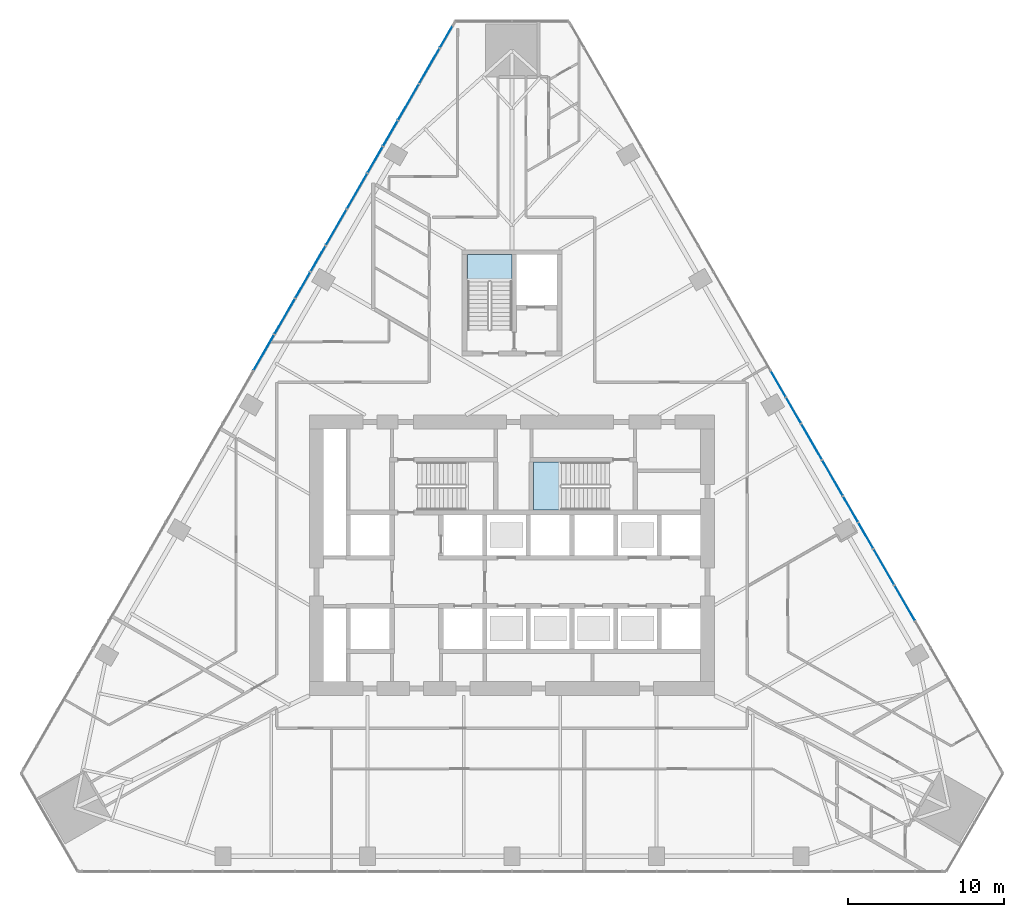
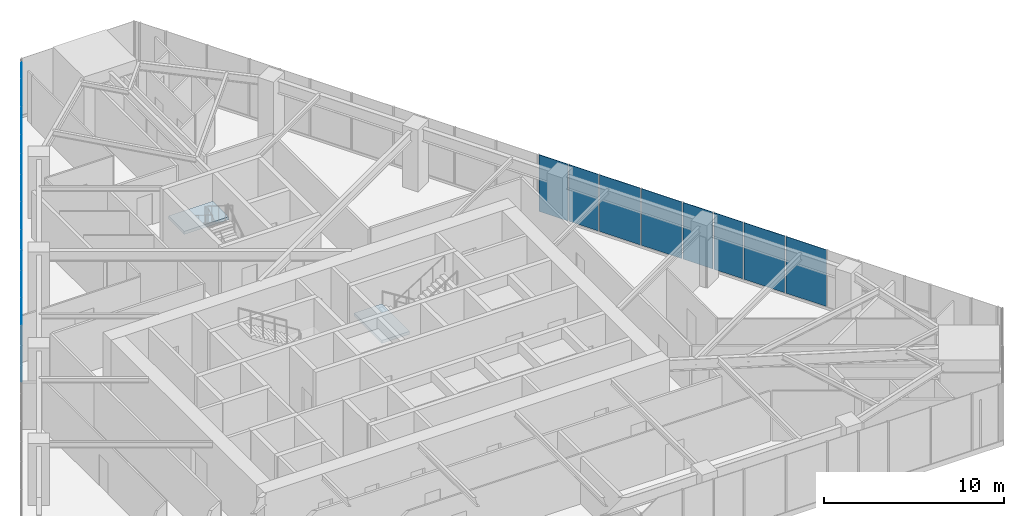
# One storey, part 14 of 22: 19 plates, 2 slabs, 4 elements without a shape of their own.
"""IFC4 building model written with IfcOpenShell, lengths in metres."""

from ifc_helpers import new_model, si_unit, direction, frame, origin, place, context, subcontext, project, spatial, polyline, outline, extrude, material, layer, layer_set, type_object, element, aggregate, save


model = new_model("IFC4")

# Units and contexts
model_context = context("Model", 3, precision=1e-05, world=origin(), true_north=direction((0.0, 1.0)))
body_context = subcontext(model_context, "Body", "Model", "MODEL_VIEW")
ifc_project = project(units=[si_unit("LENGTHUNIT", "METRE"), si_unit("AREAUNIT", "SQUARE_METRE"), si_unit("VOLUMEUNIT", "CUBIC_METRE"), si_unit("PLANEANGLEUNIT", "RADIAN"), si_unit("MASSUNIT", "GRAM", prefix="KILO")], contexts=[model_context])

# Site, building, storey
site_placement = place(None, origin())
site = spatial("IfcSite", under=ifc_project, at=site_placement, CompositionType="ELEMENT")
building_placement = place(site_placement, origin())
building = spatial("IfcBuilding", under=site, at=building_placement, Name="Firuza Gate Tower and Library", CompositionType="ELEMENT")
storey_placement = place(building_placement, frame((0.0, 0.0, 128.199951171875)))
storey = spatial("IfcBuildingStorey", under=building, at=storey_placement, Name="L29", CompositionType="ELEMENT", Elevation=128.199951171875)

# Curtain wall, plates
ifc_material_1 = material(Name="Aluminium 6063-T6", Category="aluminium")
ifc_layer_1 = layer(ifc_material_1, 0.14990234375)
ifc_layer_set_1 = layer_set([ifc_layer_1], Name="Unitised curtain wall, offices")
curtain_wall_type = type_object("IfcCurtainWallType", Name="Unitised curtain wall, offices", PredefinedType="NOTDEFINED", material=ifc_layer_set_1)
placement_1 = place(storey_placement, origin())
curtain_wall_1 = element("IfcCurtainWall", 1, at=placement_1, inside=storey, type_object=curtain_wall_type, Name="CW1 L29 E face", PredefinedType="NOTDEFINED")
ifc_material_2 = material(Name="Fritted glass", Category="glass")
ifc_layer_2 = layer(ifc_material_2, 0.030029296875)
ifc_layer_set_2 = layer_set([ifc_layer_2], Name="Fritted glass unit, offices")
plate_type_1 = type_object("IfcPlateType", Name="Fritted glass unit, offices", PredefinedType="CURTAIN_PANEL", material=ifc_layer_set_2)
plate_1_placement = place(storey_placement, frame((98.1806640625, 75.464111328125, 0.150146484375), z_axis=(0.866015249523, 0.500017587285, 0.0), x_axis=(-0.500017587285, 0.866015249523, 0.0)))
plate_1 = element("IfcPlate", 2, at=plate_1_placement, type_object=plate_type_1, Name="Glass unit", PredefinedType="CURTAIN_PANEL", context=body_context, shape_type="SweptSolid", body=[
    extrude(outline(polyline([(0.0, 0.0), (1.8617509199621438, 0.0), (1.8617509199621438, 3.849853515625), (0.0, 3.849853515625), (0.0, 0.0)])), origin(), (0.0, 0.0, -1.0), 0.030029296875),
])
plate_2_placement = place(storey_placement, frame((97.209716796875, 77.1455078125, 0.150146484375), z_axis=(0.866041520497, 0.499972083996, 0.0), x_axis=(-0.499972083996, 0.866041520497, 0.0)))
plate_2 = element("IfcPlate", 3, at=plate_2_placement, type_object=plate_type_1, Name="Glass unit", PredefinedType="CURTAIN_PANEL", context=body_context, shape_type="SweptSolid", body=[
    extrude(outline(polyline([(0.0, 0.0), (1.8907305632826326, 0.0), (1.8907305632826326, 3.849853515625), (0.0, 3.849853515625), (0.0, 0.0)])), origin(), (0.0, 0.0, -1.0), 0.030029296875),
])
plate_3_placement = place(storey_placement, frame((93.54443359375, 83.494140625, 0.150146484375), z_axis=(0.866040394721, 0.499974034037, 0.0), x_axis=(-0.499974034037, 0.866040394721, 0.0)))
plate_3 = element("IfcPlate", 4, at=plate_3_placement, type_object=plate_type_1, Name="Glass unit", PredefinedType="CURTAIN_PANEL", context=body_context, shape_type="SweptSolid", body=[
    extrude(outline(polyline([(0.0, 0.0), (1.876073990634624, 0.0), (1.876073990634624, 3.849853515625), (0.0, 3.849853515625), (0.0, 0.0)])), origin(), (0.0, 0.0, -1.0), 0.030029296875),
])
plate_4_placement = place(storey_placement, frame((92.56640625, 85.188232421875, 0.150146484375), z_axis=(0.866040394721, 0.499974034037, 0.0), x_axis=(-0.499974034037, 0.866040394721, 0.0)))
plate_4 = element("IfcPlate", 5, at=plate_4_placement, type_object=plate_type_1, Name="Glass unit", PredefinedType="CURTAIN_PANEL", context=body_context, shape_type="SweptSolid", body=[
    extrude(outline(polyline([(0.0, 0.0), (1.876073990634624, 0.0), (1.876073990634624, 3.849853515625), (0.0, 3.849853515625), (0.0, 0.0)])), origin(), (0.0, 0.0, -1.0), 0.030029296875),
])

curtain_wall_2 = element("IfcCurtainWall", 6, at=placement_1, inside=storey, type_object=curtain_wall_type, Name="CW1 L29 W face", PredefinedType="NOTDEFINED")
plate_5_placement = place(storey_placement, frame((71.158203125, 108.959716796875, 0.150146484375), z_axis=(-0.866011520327, 0.500024046082, 0.0), x_axis=(-0.500024046082, -0.866011520327, 0.0)))
plate_5 = element("IfcPlate", 7, at=plate_5_placement, type_object=plate_type_1, Name="Glass unit", PredefinedType="CURTAIN_PANEL", context=body_context, shape_type="SweptSolid", body=[
    extrude(outline(polyline([(0.0, 0.0), (1.5883025213450572, 0.0), (1.5883025213450572, 3.849853515625), (0.0, 3.849853515625), (0.0, 0.0)])), origin(), (0.0, 0.0, -1.0), 0.030029296875),
])
plate_6_placement = place(storey_placement, frame((67.64404296875, 102.873046875, 0.150146484375), z_axis=(-0.866046938348, 0.499962699187, 0.0), x_axis=(-0.499962699187, -0.866046938348, 0.0)))
plate_6 = element("IfcPlate", 8, at=plate_6_placement, type_object=plate_type_1, Name="Glass unit", PredefinedType="CURTAIN_PANEL", context=body_context, shape_type="SweptSolid", body=[
    extrude(outline(polyline([(0.0, 0.0), (1.8473057807660518, 0.0), (1.8473057807660518, 3.849853515625), (0.0, 3.849853515625), (0.0, 0.0)])), origin(), (0.0, 0.0, -1.0), 0.030029296875),
])
plate_7_placement = place(storey_placement, frame((66.680419921875, 101.203857421875, 0.150146484375), z_axis=(-0.865978549379, 0.500081145431, 0.0), x_axis=(-0.500081145431, -0.865978549379, 0.0)))
plate_7 = element("IfcPlate", 9, at=plate_7_placement, type_object=plate_type_1, Name="Glass unit", PredefinedType="CURTAIN_PANEL", context=body_context, shape_type="SweptSolid", body=[
    extrude(outline(polyline([(0.0, 0.0), (1.9049642792053532, 0.0), (1.9049642792053532, 3.849853515625), (0.0, 3.849853515625), (0.0, 0.0)])), origin(), (0.0, 0.0, -1.0), 0.030029296875),
])
plate_8_placement = place(storey_placement, frame((63.0078125, 94.843017578125, 0.150146484375), z_axis=(-0.866015249523, 0.500017587285, 0.0), x_axis=(-0.500017587285, -0.866015249523, 0.0)))
plate_8 = element("IfcPlate", 10, at=plate_8_placement, type_object=plate_type_1, Name="Glass unit", PredefinedType="CURTAIN_PANEL", context=body_context, shape_type="SweptSolid", body=[
    extrude(outline(polyline([(0.0, 0.0), (1.8617509199621438, 0.0), (1.8617509199621438, 3.849853515625), (0.0, 3.849853515625), (0.0, 0.0)])), origin(), (0.0, 0.0, -1.0), 0.030029296875),
])
plate_9_placement = place(storey_placement, frame((62.037109375, 93.161376953125, 0.150146484375), z_axis=(-0.866009237431, 0.5000279999, 0.0), x_axis=(-0.5000279999, -0.866009237431, 0.0)))
plate_9 = element("IfcPlate", 11, at=plate_9_placement, type_object=plate_type_1, Name="Glass unit", PredefinedType="CURTAIN_PANEL", context=body_context, shape_type="SweptSolid", body=[
    extrude(outline(polyline([(0.0, 0.0), (1.8905191313051264, 0.0), (1.8905191313051264, 3.849853515625001), (0.0, 3.849853515625001), (0.0, 0.0)])), origin(), (0.0, 0.0, -1.0), 0.030029296875),
])

# Plate
ifc_material_3 = material(Name="Glazed ceramic tile")
ifc_layer_3 = layer(ifc_material_3, 0.030029296875)
ifc_layer_set_3 = layer_set([ifc_layer_3], Name="Opaque ceramic panel, offices")
plate_type_2 = type_object("IfcPlateType", Name="Opaque ceramic panel, offices", PredefinedType="CURTAIN_PANEL", material=ifc_layer_set_3)
plate_10_placement = place(storey_placement, frame((100.860595703125, 70.822021484375, 0.150146484375), z_axis=(0.86600267068, 0.500039372825, 0.0), x_axis=(-0.500039372825, 0.86600267068, 0.0)))
plate_10 = element("IfcPlate", 12, at=plate_10_placement, type_object=plate_type_2, Name="Opaque ceramic panel", PredefinedType="CURTAIN_PANEL", context=body_context, shape_type="SweptSolid", body=[
    extrude(outline(polyline([(0.0, 0.0), (2.5784102426580846, 0.0), (2.5784102426580846, 3.849853515625), (0.0, 3.849853515625), (0.0, 0.0)])), origin(), (0.0, 0.0, -1.0), 0.030029296875),
])

plate_11_placement = place(storey_placement, frame((99.531494140625, 73.124267578125, 0.150146484375), z_axis=(0.865999496279, 0.500044870432, 0.0), x_axis=(-0.500044870432, 0.865999496279, 0.0)))
plate_11 = element("IfcPlate", 13, at=plate_11_placement, type_object=plate_type_2, Name="Opaque ceramic panel", PredefinedType="CURTAIN_PANEL", context=body_context, shape_type="SweptSolid", body=[
    extrude(outline(polyline([(0.0, 0.0), (2.6218350267602646, 0.0), (2.6218350267602646, 3.849853515625), (0.0, 3.849853515625), (0.0, 0.0)])), origin(), (0.0, 0.0, -1.0), 0.030029296875),
])

plate_12_placement = place(storey_placement, frame((96.224365234375, 78.85205078125, 0.150146484375), z_axis=(0.866044474677, 0.49996696679, 0.0), x_axis=(-0.49996696679, 0.866044474677, 0.0)))
plate_12 = element("IfcPlate", 14, at=plate_12_placement, type_object=plate_type_2, Name="Opaque ceramic panel", PredefinedType="CURTAIN_PANEL", context=body_context, shape_type="SweptSolid", body=[
    extrude(outline(polyline([(0.0, 0.0), (2.59294474407599, 0.0), (2.59294474407599, 3.849853515625), (0.0, 3.849853515625), (0.0, 0.0)])), origin(), (0.0, 0.0, -1.0), 0.030029296875),
])

plate_13_placement = place(storey_placement, frame((94.887939453125, 81.166748046875, 0.150146484375), z_axis=(0.866062405902, 0.499935904975, 0.0), x_axis=(-0.499935904975, 0.866062405902, 0.0)))
plate_13 = element("IfcPlate", 15, at=plate_13_placement, type_object=plate_type_2, Name="Opaque ceramic panel", PredefinedType="CURTAIN_PANEL", context=body_context, shape_type="SweptSolid", body=[
    extrude(outline(polyline([(0.0, 0.0), (2.6072678195433303, 0.0), (2.6072678195433303, 3.849853515625), (0.0, 3.849853515625), (0.0, 0.0)])), origin(), (0.0, 0.0, -1.0), 0.030029296875),
])

aggregate(curtain_wall_1, [plate_10, plate_11, plate_1, plate_2, plate_12, plate_13, plate_3, plate_4])

plate_14_placement = place(storey_placement, frame((70.323974609375, 107.514892578125, 0.150146484375), z_axis=(-0.866025432576, 0.499999950132, 0.0), x_axis=(-0.499999950132, -0.866025432576, 0.0)))
plate_14 = element("IfcPlate", 16, at=plate_14_placement, type_object=plate_type_2, Name="Opaque ceramic panel", PredefinedType="CURTAIN_PANEL", context=body_context, shape_type="SweptSolid", body=[
    extrude(outline(polyline([(0.0, 0.0), (2.5639650994676484, 0.0), (2.5639650994676484, 3.849853515625001), (0.0, 3.849853515625001), (0.0, 0.0)])), origin(), (0.0, 0.0, -1.0), 0.030029296875),
])

plate_15_placement = place(storey_placement, frame((69.001953125, 105.22509765625, 0.150146484375), z_axis=(-0.866057580247, 0.499944264589, 0.0), x_axis=(-0.499944264589, -0.866057580247, 0.0)))
plate_15 = element("IfcPlate", 17, at=plate_15_placement, type_object=plate_type_2, Name="Opaque ceramic panel", PredefinedType="CURTAIN_PANEL", context=body_context, shape_type="SweptSolid", body=[
    extrude(outline(polyline([(0.0, 0.0), (2.6360360286005866, 0.0), (2.6360360286005866, 3.849853515625), (0.0, 3.849853515625), (0.0, 0.0)])), origin(), (0.0, 0.0, -1.0), 0.030029296875),
])

plate_16_placement = place(storey_placement, frame((65.68798828125, 99.48486328125, 0.150146484375), z_axis=(-0.86600267068, 0.500039372825, 0.0), x_axis=(-0.500039372825, -0.86600267068, 0.0)))
plate_16 = element("IfcPlate", 18, at=plate_16_placement, type_object=plate_type_2, Name="Opaque ceramic panel", PredefinedType="CURTAIN_PANEL", context=body_context, shape_type="SweptSolid", body=[
    extrude(outline(polyline([(0.0, 0.0), (2.5784102426580846, 0.0), (2.5784102426580846, 3.849853515625), (0.0, 3.849853515625), (0.0, 0.0)])), origin(), (0.0, 0.0, -1.0), 0.030029296875),
])

plate_17_placement = place(storey_placement, frame((64.358642578125, 97.1826171875, 0.150146484375), z_axis=(-0.866039819127, 0.499975031064, 0.0), x_axis=(-0.499975031064, -0.866039819127, 0.0)))
plate_17 = element("IfcPlate", 19, at=plate_17_placement, type_object=plate_type_2, Name="Opaque ceramic panel", PredefinedType="CURTAIN_PANEL", context=body_context, shape_type="SweptSolid", body=[
    extrude(outline(polyline([(0.0, 0.0), (2.6217129540181845, 0.0), (2.6217129540181845, 3.849853515625), (0.0, 3.849853515625), (0.0, 0.0)])), origin(), (0.0, 0.0, -1.0), 0.030029296875),
])

plate_18_placement = place(storey_placement, frame((61.0517578125, 91.454833984375, 0.150146484375), z_axis=(-0.866020935974, 0.500007738395, 0.0), x_axis=(-0.500007738395, -0.866020935974, 0.0)))
plate_18 = element("IfcPlate", 20, at=plate_18_placement, type_object=plate_type_2, Name="Opaque ceramic panel", PredefinedType="CURTAIN_PANEL", context=body_context, shape_type="SweptSolid", body=[
    extrude(outline(polyline([(0.0, 0.0), (2.592733310309924, 0.0), (2.592733310309924, 3.849853515625), (0.0, 3.849853515625), (0.0, 0.0)])), origin(), (0.0, 0.0, -1.0), 0.030029296875),
])

plate_19_placement = place(storey_placement, frame((59.71533203125, 89.14013671875, 0.150146484375), z_axis=(-0.866021861762, 0.500006134913, 0.0), x_axis=(-0.500006134913, -0.866021861762, 0.0)))
plate_19 = element("IfcPlate", 21, at=plate_19_placement, type_object=plate_type_2, Name="Opaque ceramic panel", PredefinedType="CURTAIN_PANEL", context=body_context, shape_type="SweptSolid", body=[
    extrude(outline(polyline([(0.0, 0.0), (2.607389882780822, 0.0), (2.607389882780822, 3.849853515625), (0.0, 3.849853515625), (0.0, 0.0)])), origin(), (0.0, 0.0, -1.0), 0.030029296875),
])

aggregate(curtain_wall_2, [plate_5, plate_14, plate_15, plate_6, plate_7, plate_16, plate_17, plate_8, plate_9, plate_18, plate_19])

# Stair, slab
ifc_material_4 = material(Name="Concrete C35/45", Category="concrete")
stair_type_1 = type_object("IfcStairType", Name="Exit stair ST5", PredefinedType="HALF_TURN_STAIR", material=ifc_material_4)
stair_1 = element("IfcStair", 22, at=placement_1, inside=storey, type_object=stair_type_1, Name="L29 Stair ST2", PredefinedType="HALF_TURN_STAIR")
ifc_material_5 = material(Name="Concrete C35/45", Category="concrete")
ifc_layer_4 = layer(ifc_material_5, 0.199951171875)
ifc_layer_set_4 = layer_set([ifc_layer_4], Name="Stair landing 200")
slab_type = type_object("IfcSlabType", Name="Stair landing 200", PredefinedType="LANDING", material=ifc_layer_set_4)
placement_2 = place(storey_placement, frame((0.0, 0.0, 1.900146484375)))
slab_1 = element("IfcSlab", 23, at=placement_2, type_object=slab_type, Name="ST2 landing 1", PredefinedType="LANDING", context=body_context, shape_type="SweptSolid", body=[
    extrude(outline(polyline([(78.179931640625, 80.97998046875), (76.389892578125, 80.97998046875), (76.389892578125, 77.89990234375), (78.179931640625, 77.89990234375), (78.179931640625, 80.97998046875)])), origin(), (0.0, 0.0, 1.0), 0.199951171875),
])
aggregate(stair_1, [slab_1])

ifc_material_6 = material(Name="Concrete C35/45", Category="concrete")
stair_type_2 = type_object("IfcStairType", Name="Exit stair ST14", PredefinedType="HALF_TURN_STAIR", material=ifc_material_6)
stair_2 = element("IfcStair", 24, at=placement_1, inside=storey, type_object=stair_type_2, Name="L29 Stair ST3", PredefinedType="HALF_TURN_STAIR")
slab_2 = element("IfcSlab", 25, at=placement_2, type_object=slab_type, Name="ST3 landing 1", PredefinedType="LANDING", context=body_context, shape_type="SweptSolid", body=[
    extrude(outline(polyline([(75.0, 92.550048828125), (75.0, 94.300048828125), (72.159912109375, 94.300048828125), (72.159912109375, 92.550048828125), (75.0, 92.550048828125)])), origin(), (0.0, 0.0, 1.0), 0.199951171875),
])
aggregate(stair_2, [slab_2])

save(model, "model.ifc")
